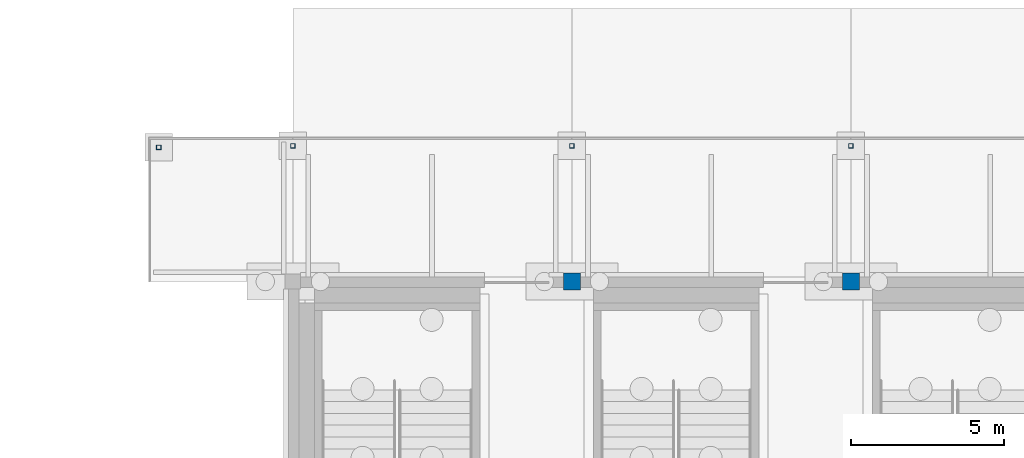
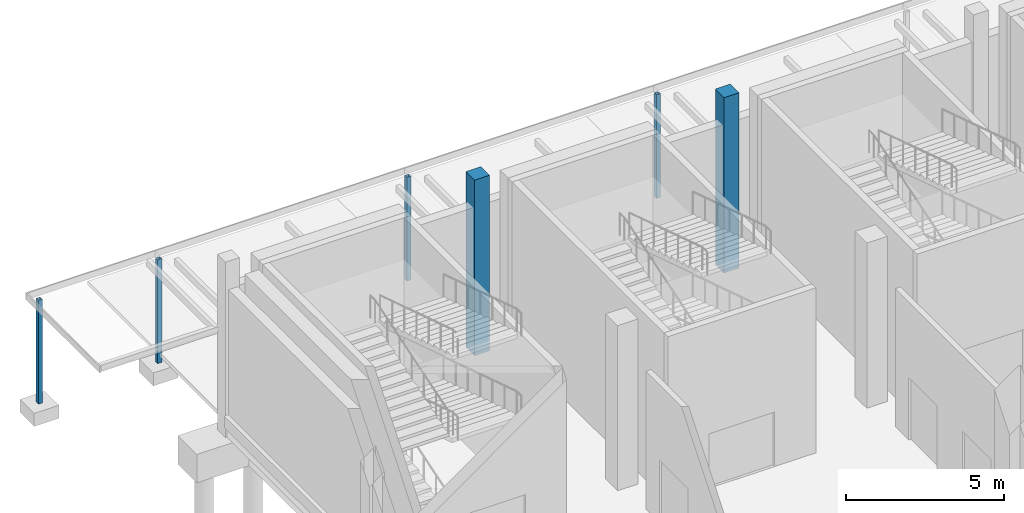
# One storey, part 28 of 129: 6 columns.
"""IFC4 building model written with IfcOpenShell, lengths in metres."""

from ifc_helpers import new_model, si_unit, direction, frame, origin, origin_2d, place, context, subcontext, project, spatial, rectangle, hollow_rectangle, extrude, material, material_profile, profile_set, type_object, element, save


model = new_model("IFC4")

# Units and contexts
model_context = context("Model", 3, precision=1e-05, world=origin(), true_north=direction((0.0, 1.0)))
body_context = subcontext(model_context, "Body", "Model", "MODEL_VIEW")
ifc_project = project(units=[si_unit("LENGTHUNIT", "METRE"), si_unit("AREAUNIT", "SQUARE_METRE"), si_unit("VOLUMEUNIT", "CUBIC_METRE"), si_unit("PLANEANGLEUNIT", "RADIAN"), si_unit("MASSUNIT", "GRAM", prefix="KILO")], contexts=[model_context])

# Site, building, storey
site_placement = place(None, origin())
site = spatial("IfcSite", under=ifc_project, at=site_placement, CompositionType="ELEMENT")
building_placement = place(site_placement, origin())
building = spatial("IfcBuilding", under=site, at=building_placement, Name="Shirokan Park Arena", CompositionType="ELEMENT")
storey_placement = place(building_placement, origin())
storey = spatial("IfcBuildingStorey", under=building, at=storey_placement, Name="L00", CompositionType="ELEMENT", Elevation=0.0)

# Columns
ifc_material_1 = material(Name="Concrete C35", Category="concrete")
ifc_material_profile_1 = material_profile(ifc_material_1, rectangle(XDim=0.550048828125, YDim=0.550048828125, at=origin_2d()), Name="550x550")
ifc_profile_set_1 = profile_set([ifc_material_profile_1], Name="Concrete C35")
column_type_1 = type_object("IfcColumnType", Name="RC column 550x550", PredefinedType="COLUMN", material=ifc_profile_set_1)
for number, where, z_axis, x_axis, name in (
    (1, (9.10009765625, 109.199951171875, -0.39990234375), (0.0, 0.0, 1.0), (1.0, 0.0, 0.0), "Column 2N L00"),
    (2, (18.199951171875, 109.199951171875, -0.39990234375), (0.0, 0.0, 1.0), (1.0, 0.0, 0.0), "Column 3N L00"),
):
    element("IfcColumn", number, at=place(storey_placement, frame(where, z_axis=z_axis, x_axis=x_axis)), inside=storey, type_object=column_type_1, Name=name, PredefinedType="COLUMN", context=body_context, shape_type="SweptSolid", body=[
        extrude(rectangle(XDim=0.550048828125, YDim=0.550048828125, at=origin_2d()), origin(), (0.0, 0.0, 1.0), 6.77001953125),
    ])
ifc_material_2 = material(Name="Steel S355", Category="steel")
ifc_material_profile_2 = material_profile(ifc_material_2, hollow_rectangle(XDim=0.14990234375, YDim=0.14990234375, WallThickness=0.008056640625, at=origin_2d()), Name="RHS 150x150x8")
ifc_profile_set_2 = profile_set([ifc_material_profile_2], Name="Steel S355")
column_type_2 = type_object("IfcColumnType", Name="Steel post RHS 150x150x8", PredefinedType="COLUMN", material=ifc_profile_set_2)
for number, where, z_axis, x_axis, name in (
    (3, (18.199951171875, 113.625, -0.39990234375), (0.0, 0.0, 1.0), (1.0, 0.0, 0.0), "Canopy post north grid 15"),
    (4, (9.10009765625, 113.625, -0.39990234375), (0.0, 0.0, 1.0), (1.0, 0.0, 0.0), "Canopy post north grid 16"),
    (5, (0.0, 113.625, -0.39990234375), (0.0, 0.0, 1.0), (1.0, 0.0, 0.0), "Canopy post north grid 17"),
    (6, (-4.375, 113.574951171875, -0.39990234375), (0.0, 0.0, 1.0), (1.0, 0.0, 0.0), "Canopy post NW corner"),
):
    element("IfcColumn", number, at=place(storey_placement, frame(where, z_axis=z_axis, x_axis=x_axis)), inside=storey, type_object=column_type_2, Name=name, PredefinedType="COLUMN", context=body_context, shape_type="SweptSolid", body=[
        extrude(hollow_rectangle(XDim=0.14990234375, YDim=0.14990234375, WallThickness=0.008056640625, at=origin_2d()), origin(), (0.0, 0.0, 1.0), 4.0),
    ])

save(model, "model.ifc")
